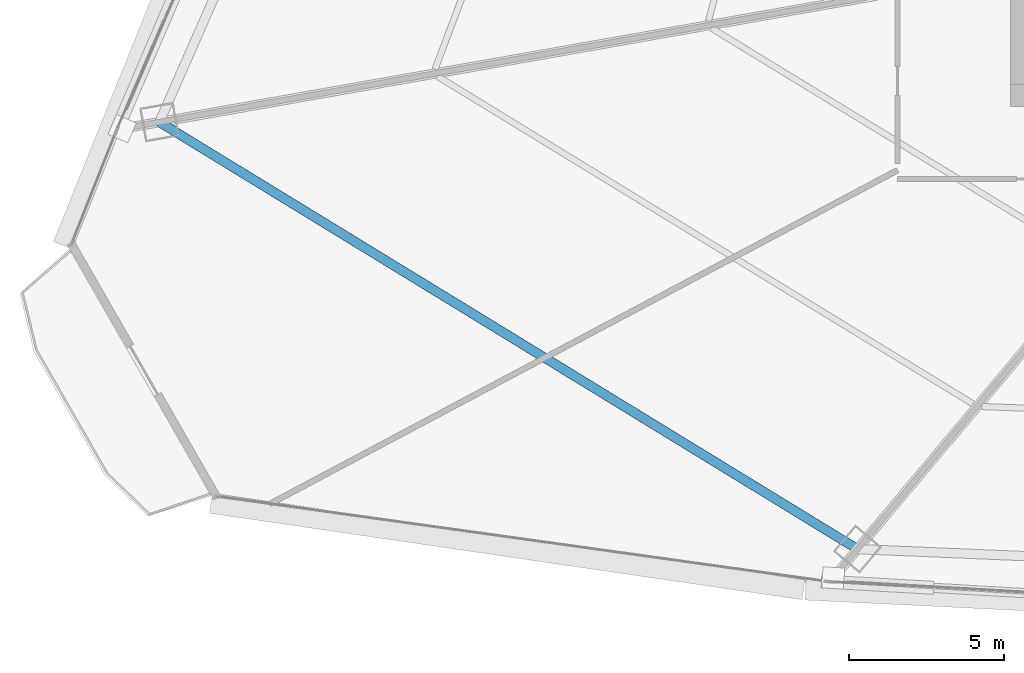
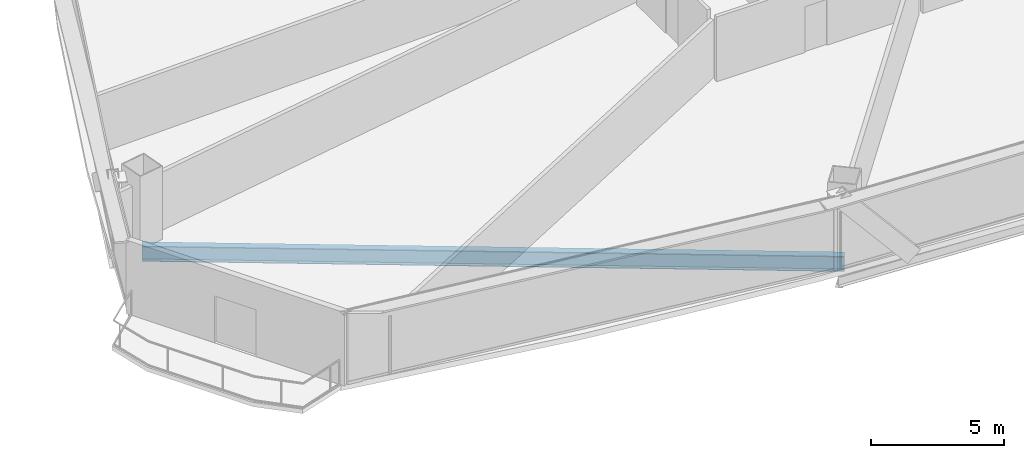
# One storey, part 5 of 37: 1 beam.
"""IFC4 building model written with IfcOpenShell, lengths in metres."""

from ifc_helpers import new_model, si_unit, direction, frame, origin, origin_2d, place, context, subcontext, project, spatial, i_section, extrude, source, transform, mapped, material, material_profile, profile_set, type_object, element, save


model = new_model("IFC4")

# Units and contexts
model_context = context("Model", 3, precision=1e-05, world=origin(), true_north=direction((0.0, 1.0)))
body_context = subcontext(model_context, "Body", "Model", "MODEL_VIEW")
ifc_project = project(units=[si_unit("LENGTHUNIT", "METRE"), si_unit("AREAUNIT", "SQUARE_METRE"), si_unit("VOLUMEUNIT", "CUBIC_METRE"), si_unit("PLANEANGLEUNIT", "RADIAN"), si_unit("MASSUNIT", "GRAM", prefix="KILO"), si_unit("THERMODYNAMICTEMPERATUREUNIT", "KELVIN"), si_unit("POWERUNIT", "WATT")], contexts=[model_context])

# Site, building, storey
site_placement = place(None, origin())
site = spatial("IfcSite", under=ifc_project, at=site_placement, CompositionType="ELEMENT")
building_placement = place(site_placement, origin())
building = spatial("IfcBuilding", under=site, at=building_placement, Name="Yunzhuo Pagoda Commons", CompositionType="ELEMENT")
storey_placement = place(building_placement, frame((0.0, 0.0, 59.43994140625)))
storey = spatial("IfcBuildingStorey", under=building, at=storey_placement, Name="L15", CompositionType="ELEMENT", Elevation=59.43994140625)

# Beam
ifc_material = material(Name="Structural steel Q355B", Category="steel")
ifc_material_profile = material_profile(ifc_material, i_section(OverallWidth=0.300048828125, OverallDepth=0.699951171875, WebThickness=0.012939453125, FlangeThickness=0.02392578125, at=origin_2d()), Name="Structural steel Q355B")
ifc_profile_set = profile_set([ifc_material_profile], Name="Structural steel Q355B")
beam_type = type_object("IfcBeamType", Name="B-RG1 Beam HN 700x300x13x24", PredefinedType="BEAM", material=ifc_profile_set)
shared_shape = source(origin(), body_context, "Body", "SweptSolid", [
    extrude(i_section(OverallWidth=0.300048828125, OverallDepth=0.699951171875, WebThickness=0.012939453125, FlangeThickness=0.02392578125, at=origin_2d()), origin(), (0.0, 0.0, 1.0), 26.432373046875),
])
beam_placement = place(storey_placement, frame((7.952392578125, 26.638427734375, -0.60986328125), z_axis=(0.853031728928, -0.521859051318, 0.0), x_axis=(0.521859051318, 0.853031728928, 0.0)))
element("IfcBeam", 1, at=beam_placement, inside=storey, type_object=beam_type, Name="L15 column-ring beam 12", PredefinedType="BEAM", context=body_context, shape_type="MappedRepresentation", body=[
    mapped(shared_shape, transform((0.0, 0.0, 0.0), scale=1.0)),
])

save(model, "model.ifc")
